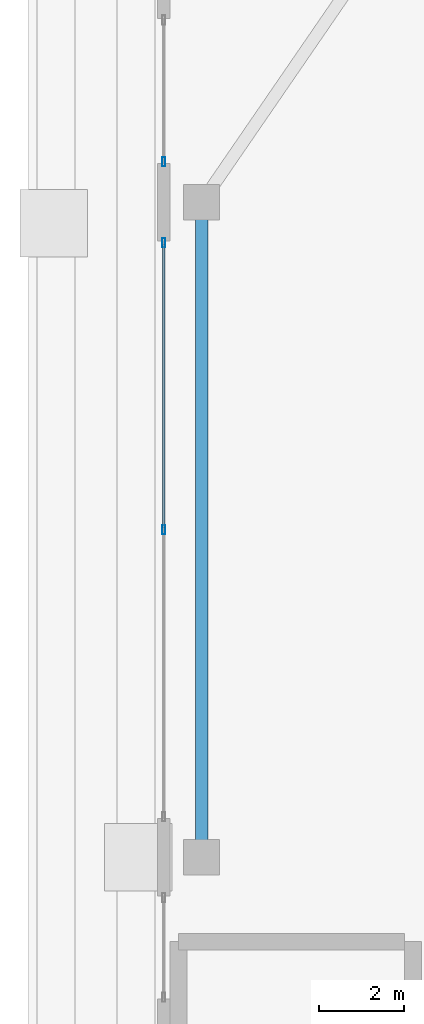
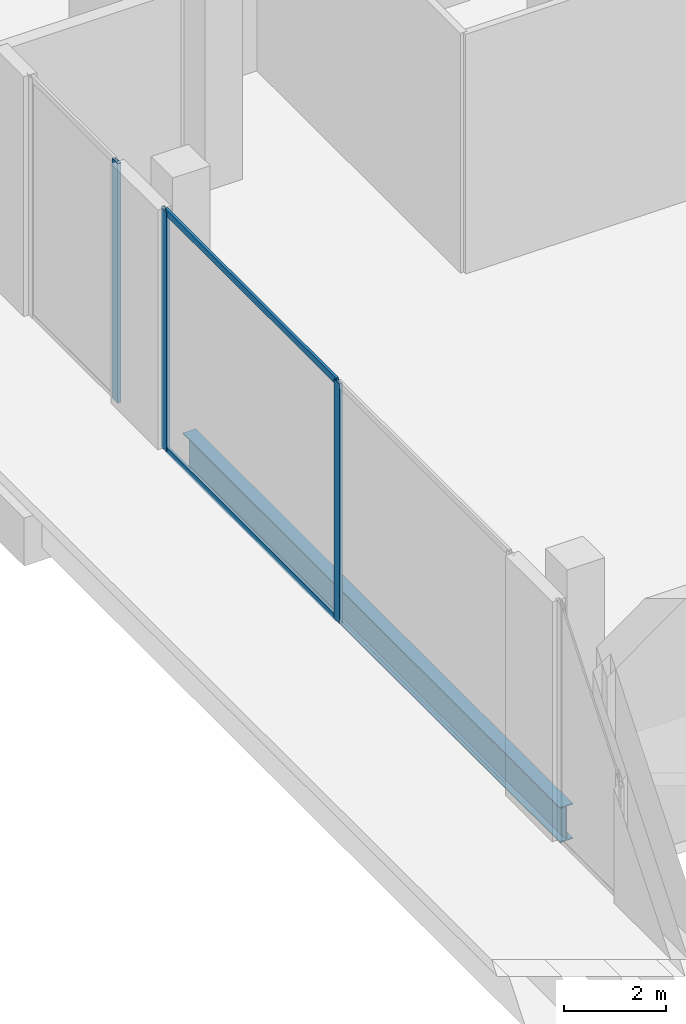
# One storey, part 12 of 39: 5 members, 1 beam, 2 elements without a shape of their own.
"""IFC4 building model written with IfcOpenShell, lengths in metres."""

from ifc_helpers import new_model, si_unit, direction, frame, origin, origin_2d, place, context, subcontext, project, spatial, hollow_rectangle, i_section, extrude, material, layer, layer_set, material_profile, profile_set, type_object, element, aggregate, save


model = new_model("IFC4")

# Units and contexts
model_context = context("Model", 3, precision=1e-05, world=origin(), true_north=direction((0.0, 1.0)))
body_context = subcontext(model_context, "Body", "Model", "MODEL_VIEW")
ifc_project = project(units=[si_unit("LENGTHUNIT", "METRE"), si_unit("AREAUNIT", "SQUARE_METRE"), si_unit("VOLUMEUNIT", "CUBIC_METRE"), si_unit("PLANEANGLEUNIT", "RADIAN"), si_unit("MASSUNIT", "GRAM", prefix="KILO")], contexts=[model_context])

# Site, building, storey
site_placement = place(None, origin())
site = spatial("IfcSite", under=ifc_project, at=site_placement, CompositionType="ELEMENT")
building_placement = place(site_placement, origin())
building = spatial("IfcBuilding", under=site, at=building_placement, Name="Zuhayl Quay Hotel", CompositionType="ELEMENT")
storey_placement = place(building_placement, origin())
storey = spatial("IfcBuildingStorey", under=building, at=storey_placement, Name="L00", CompositionType="ELEMENT", Elevation=0.0)

# Beam
ifc_material_1 = material(Name="Steel ASTM A992 Grade 50", Category="steel")
ifc_material_profile_1 = material_profile(ifc_material_1, i_section(OverallWidth=0.2919921875, OverallDepth=0.845947265625, WebThickness=0.015380859375, FlangeThickness=0.0244140625, at=origin_2d()), Name="W33X141")
ifc_profile_set_1 = profile_set([ifc_material_profile_1], Name="Steel ASTM A992 Grade 50")
beam_type = type_object("IfcBeamType", Name="BM_PG3_W33X141", PredefinedType="BEAM", material=ifc_profile_set_1)
beam_placement = place(storey_placement, frame((-35.10009765625, 0.340087890625, -0.68310546875), z_axis=(0.0, 1.0, 0.0), x_axis=(-1.0, 0.0, 0.0)))
element("IfcBeam", 1, at=beam_placement, inside=storey, type_object=beam_type, Name="L00 Floor Beam PG_W_L00_2", PredefinedType="BEAM", context=body_context, shape_type="SweptSolid", body=[
    extrude(i_section(OverallWidth=0.2919921875, OverallDepth=0.845947265625, WebThickness=0.015380859375, FlangeThickness=0.0244140625, at=origin_2d()), origin(), (0.0, 0.0, 1.0), 14.81982421875),
])

# Curtain wall, members
ifc_material_2 = material(Name="Anodised Aluminium 6063-T6", Category="aluminium")
ifc_layer = layer(ifc_material_2, 0.199951171875, Name="Anodised Aluminium 6063-T6", Category="aluminium")
ifc_layer_set = layer_set([ifc_layer], Name="Anodised Aluminium 6063-T6")
curtain_wall_type = type_object("IfcCurtainWallType", Name="CW_SYS_POD", PredefinedType="USERDEFINED", material=ifc_layer_set)
curtain_wall_1_placement = place(storey_placement, origin())
curtain_wall_1 = element("IfcCurtainWall", 2, at=curtain_wall_1_placement, inside=storey, type_object=curtain_wall_type, Name="L00 Curtain Wall ENV_L00_E02_CW2", ObjectType="UNITISED CURTAIN WALL", PredefinedType="USERDEFINED")
ifc_material_3 = material(Name="Black-anodised aluminium 6063-T6", Category="aluminium")
ifc_material_profile_2 = material_profile(ifc_material_3, hollow_rectangle(XDim=0.074951171875, YDim=0.219970703125, WallThickness=0.00390625, at=origin_2d()), Name="ALU220X75")
ifc_profile_set_2 = profile_set([ifc_material_profile_2], Name="Black-anodised aluminium 6063-T6")
member_type_1 = type_object("IfcMemberType", Name="MB_CW_MUL_220", PredefinedType="MULLION", material=ifc_profile_set_2)
member_1_placement = place(storey_placement, frame((-36.0, 7.75, 0.0), z_axis=(0.0, 0.0, 1.0), x_axis=(-1.0, 0.0, 0.0)))
member_1 = element("IfcMember", 3, at=member_1_placement, type_object=member_type_1, Name="CW-POD mullion 2", PredefinedType="MULLION", context=body_context, shape_type="SweptSolid", body=[
    extrude(hollow_rectangle(XDim=0.074951171875, YDim=0.219970703125, WallThickness=0.00390625, at=origin_2d()), origin(), (0.0, 0.0, 1.0), 5.75),
])
member_2_placement = place(storey_placement, frame((-36.0, 14.54248046875, 0.0), z_axis=(0.0, 0.0, 1.0), x_axis=(-1.0, 0.0, 0.0)))
member_2 = element("IfcMember", 4, at=member_2_placement, type_object=member_type_1, Name="CW-POD mullion 3", PredefinedType="MULLION", context=body_context, shape_type="SweptSolid", body=[
    extrude(hollow_rectangle(XDim=0.074951171875, YDim=0.219970703125, WallThickness=0.00390625, at=origin_2d()), origin(), (0.0, 0.0, 1.0), 5.75),
])

# Curtain wall, member
curtain_wall_2_placement = place(storey_placement, origin())
curtain_wall_2 = element("IfcCurtainWall", 5, at=curtain_wall_2_placement, inside=storey, type_object=curtain_wall_type, Name="L00 Curtain Wall ENV_L00_E02_CW3", ObjectType="UNITISED CURTAIN WALL", PredefinedType="USERDEFINED")
member_3_placement = place(storey_placement, frame((-36.0, 16.45751953125, 0.0), z_axis=(0.0, 0.0, 1.0), x_axis=(-1.0, 0.0, 0.0)))
member_3 = element("IfcMember", 6, at=member_3_placement, type_object=member_type_1, Name="CW-POD mullion 1", PredefinedType="MULLION", context=body_context, shape_type="SweptSolid", body=[
    extrude(hollow_rectangle(XDim=0.074951171875, YDim=0.219970703125, WallThickness=0.00390625, at=origin_2d()), origin(), (0.0, 0.0, 1.0), 5.75),
])
aggregate(curtain_wall_2, [member_3])

# Member
ifc_material_profile_3 = material_profile(ifc_material_3, hollow_rectangle(XDim=0.06005859375, YDim=0.14990234375, WallThickness=0.00341796875, at=origin_2d()), Name="ALU150X60")
ifc_profile_set_3 = profile_set([ifc_material_profile_3], Name="Black-anodised aluminium 6063-T6")
member_type_2 = type_object("IfcMemberType", Name="MB_CW_TRN_150", PredefinedType="USERDEFINED", material=ifc_profile_set_3)
member_4_placement = place(storey_placement, frame((-36.0, 7.78759765625, 0.030029296875), z_axis=(0.0, 1.0, 0.0), x_axis=(-1.0, 0.0, 0.0)))
member_4 = element("IfcMember", 7, at=member_4_placement, type_object=member_type_2, Name="CW-POD transom 2.1", ObjectType="TRANSOM", PredefinedType="USERDEFINED", context=body_context, shape_type="SweptSolid", body=[
    extrude(hollow_rectangle(XDim=0.06005859375, YDim=0.14990234375, WallThickness=0.00341796875, at=origin_2d()), origin(), (0.0, 0.0, 1.0), 6.71728515625),
])

member_5_placement = place(storey_placement, frame((-36.0, 7.78759765625, 5.719970703125), z_axis=(0.0, 1.0, 0.0), x_axis=(-1.0, 0.0, 0.0)))
member_5 = element("IfcMember", 8, at=member_5_placement, type_object=member_type_2, Name="CW-POD transom 2.2", ObjectType="TRANSOM", PredefinedType="USERDEFINED", context=body_context, shape_type="SweptSolid", body=[
    extrude(hollow_rectangle(XDim=0.06005859375, YDim=0.14990234375, WallThickness=0.00341796875, at=origin_2d()), origin(), (0.0, 0.0, 1.0), 6.71728515625),
])

aggregate(curtain_wall_1, [member_1, member_2, member_4, member_5])

save(model, "model.ifc")
